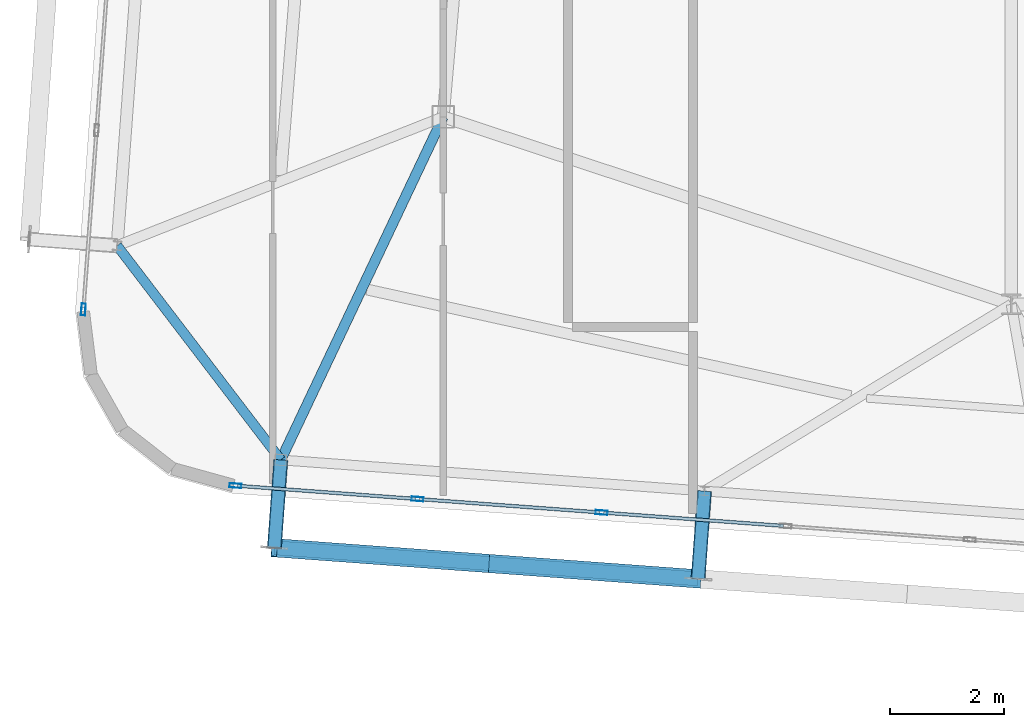
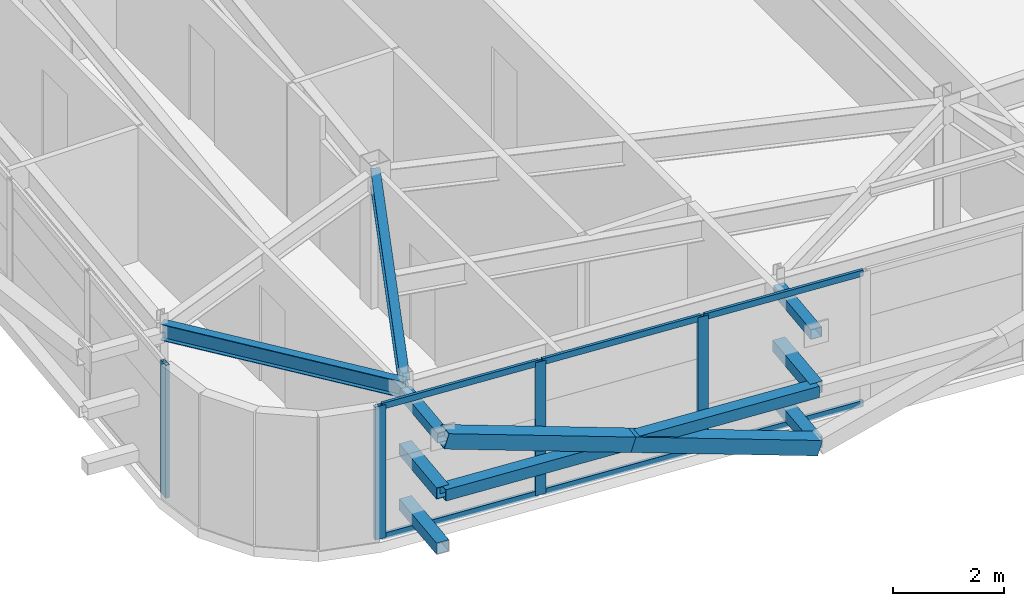
# One storey, part 9 of 42: 19 members, 2 beams, 2 elements without a shape of their own.
"""IFC4 building model written with IfcOpenShell, lengths in metres."""

from ifc_helpers import new_model, si_unit, direction, frame, origin, origin_2d, place, context, subcontext, project, spatial, hollow_rectangle, i_section, extrude, source, transform, mapped, material, layer, layer_set, material_profile, profile_set, type_object, element, aggregate, save


model = new_model("IFC4")

# Units and contexts
model_context = context("Model", 3, precision=1e-05, world=origin(), true_north=direction((0.0, 1.0)))
body_context = subcontext(model_context, "Body", "Model", "MODEL_VIEW")
ifc_project = project(units=[si_unit("LENGTHUNIT", "METRE"), si_unit("AREAUNIT", "SQUARE_METRE"), si_unit("VOLUMEUNIT", "CUBIC_METRE"), si_unit("PLANEANGLEUNIT", "RADIAN"), si_unit("MASSUNIT", "GRAM", prefix="KILO")], contexts=[model_context])

# Site, building, storey
site_placement = place(None, origin())
site = spatial("IfcSite", under=ifc_project, at=site_placement, CompositionType="ELEMENT")
building_placement = place(site_placement, origin())
building = spatial("IfcBuilding", under=site, at=building_placement, Name="Taldren Reach Tower", CompositionType="ELEMENT")
storey_placement = place(building_placement, frame((0.0, 0.0, 220.85009765625)))
storey = spatial("IfcBuildingStorey", under=building, at=storey_placement, Name="L67", CompositionType="ELEMENT", Elevation=220.85009765625)

# Members
ifc_material_1 = material(Name="Steel Gr 350 (C350L0)", Category="steel")
ifc_material_profile_1 = material_profile(ifc_material_1, hollow_rectangle(XDim=0.25, YDim=0.25, WallThickness=0.010009765625, at=origin_2d()), Name="250x250x10.0SHS")
ifc_profile_set_1 = profile_set([ifc_material_profile_1], Name="Steel Gr 350 (C350L0)")
member_type_1 = type_object("IfcMemberType", Name="MB-POST250", PredefinedType="POST", material=ifc_profile_set_1)
shared_shape_1 = source(origin(), body_context, "Body", "SweptSolid", [
    extrude(hollow_rectangle(XDim=0.25, YDim=0.25, WallThickness=0.010009765625, at=origin_2d()), origin(), (0.0, 0.0, 1.0), 1.5498046875),
])
for number, where, z_axis, x_axis, name in (
    (1, (22.6005859375, 5.912353515625, 0.219970703125), (-0.073250797913, -0.997313551801, 0.0), (0.997313551801, -0.073250797913, 0.0), "Exoskeleton base diaphragm tie strut B5-S2 L67"),
    (2, (22.6005859375, 5.912353515625, 1.434814453125), (-0.073250797913, -0.997313551801, 0.0), (0.997313551801, -0.073250797913, 0.0), "Exoskeleton mid-tier diaphragm tie B5-S2 L67"),
):
    element("IfcMember", number, at=place(storey_placement, frame(where, z_axis=z_axis, x_axis=x_axis)), inside=storey, type_object=member_type_1, Name=name, PredefinedType="POST", context=body_context, shape_type="MappedRepresentation", body=[
        mapped(shared_shape_1, transform((0.0, 0.0, 0.0), scale=1.0)),
    ])
shared_shape_2 = source(origin(), body_context, "Body", "SweptSolid", [
    extrude(hollow_rectangle(XDim=0.25, YDim=0.25, WallThickness=0.010009765625, at=origin_2d()), origin(), (0.0, 0.0, 1.0), 1.550048828125),
])
for number, where, z_axis, x_axis, name in (
    (3, (15.140625, 6.460205078125, 0.219970703125), (-0.07323929162, -0.997314396849, 0.0), (0.997314396849, -0.07323929162, 0.0), "Exoskeleton base diaphragm tie strut B5-S1 L67"),
    (4, (15.140625, 6.460205078125, 1.434814453125), (-0.07323929162, -0.997314396849, 0.0), (0.997314396849, -0.07323929162, 0.0), "Exoskeleton mid-tier diaphragm tie B5-S1 L67"),
):
    element("IfcMember", number, at=place(storey_placement, frame(where, z_axis=z_axis, x_axis=x_axis)), inside=storey, type_object=member_type_1, Name=name, PredefinedType="POST", context=body_context, shape_type="MappedRepresentation", body=[
        mapped(shared_shape_2, transform((0.0, 0.0, 0.0), scale=1.0)),
    ])
ifc_material_2 = material(Name="Steel Gr 450 (C450L0)", Category="steel")
ifc_material_profile_2 = material_profile(ifc_material_2, hollow_rectangle(XDim=0.219970703125, YDim=0.219970703125, WallThickness=0.00830078125, at=origin_2d()), Name="220x220x8.2SHS")
ifc_profile_set_2 = profile_set([ifc_material_profile_2], Name="Steel Gr 450 (C450L0)")
member_type_2 = type_object("IfcMemberType", Name="MB-TIE219", PredefinedType="STRUT", material=ifc_profile_set_2)
shared_shape_3 = source(origin(), body_context, "Body", "SweptSolid", [
    extrude(hollow_rectangle(XDim=0.219970703125, YDim=0.219970703125, WallThickness=0.00830078125, at=origin_2d()), origin(), (0.0, 0.0, 1.0), 1.5498046875),
])
member_1_placement = place(storey_placement, frame((22.6005859375, 5.912353515625, 2.64990234375), z_axis=(-0.073250797913, -0.997313551801, 0.0), x_axis=(0.997313551801, -0.073250797913, 0.0)))
element("IfcMember", 5, at=member_1_placement, inside=storey, type_object=member_type_2, Name="Exoskeleton diaphragm tie strut B5-S2 L67", PredefinedType="STRUT", context=body_context, shape_type="MappedRepresentation", body=[
    mapped(shared_shape_3, transform((0.0, 0.0, 0.0), scale=1.0)),
])
shared_shape_4 = source(origin(), body_context, "Body", "SweptSolid", [
    extrude(hollow_rectangle(XDim=0.219970703125, YDim=0.219970703125, WallThickness=0.00830078125, at=origin_2d()), origin(), (0.0, 0.0, 1.0), 1.550048828125),
])
member_2_placement = place(storey_placement, frame((15.140625, 6.460205078125, 2.64990234375), z_axis=(-0.07323929162, -0.997314396849, 0.0), x_axis=(0.997314396849, -0.07323929162, 0.0)))
element("IfcMember", 6, at=member_2_placement, inside=storey, type_object=member_type_2, Name="Exoskeleton diaphragm tie strut B5-S1 L67", PredefinedType="STRUT", context=body_context, shape_type="MappedRepresentation", body=[
    mapped(shared_shape_4, transform((0.0, 0.0, 0.0), scale=1.0)),
])

# Beams
ifc_material_3 = material(Name="Steel Gr 350 (350PLUS)", Category="steel")
ifc_material_profile_3 = material_profile(ifc_material_3, i_section(OverallWidth=0.172119140625, OverallDepth=0.35888671875, WebThickness=0.008056640625, FlangeThickness=0.012939453125, at=origin_2d()), Name="360UB56.7")
ifc_profile_set_3 = profile_set([ifc_material_profile_3], Name="Steel Gr 350 (350PLUS)")
beam_type_1 = type_object("IfcBeamType", Name="SP-UB360", PredefinedType="SPANDREL", material=ifc_profile_set_3)
shared_shape_5 = source(origin(), body_context, "Body", "SweptSolid", [
    extrude(i_section(OverallWidth=0.172119140625, OverallDepth=0.35888671875, WebThickness=0.008056640625, FlangeThickness=0.012939453125, at=origin_2d()), origin(), (0.0, 0.0, 1.0), 4.74609375),
])
beam_1_placement = place(storey_placement, frame((12.259033203125, 10.2314453125, 2.75048828125), z_axis=(0.607144568334, -0.794591387533, 0.0), x_axis=(0.794591387533, 0.607144568334, 0.0)))
element("IfcBeam", 7, at=beam_1_placement, inside=storey, type_object=beam_type_1, Name="Perimeter spandrel B5 W1-S1 L67", PredefinedType="SPANDREL", context=body_context, shape_type="MappedRepresentation", body=[
    mapped(shared_shape_5, transform((0.0, 0.0, 0.0), scale=1.0)),
])
ifc_material_profile_4 = material_profile(ifc_material_3, i_section(OverallWidth=0.177978515625, OverallDepth=0.406005859375, WebThickness=0.0078125, FlangeThickness=0.0126953125, at=origin_2d()), Name="410UB59.7")
ifc_profile_set_4 = profile_set([ifc_material_profile_4], Name="Steel Gr 350 (350PLUS)")
beam_type_2 = type_object("IfcBeamType", Name="BM-UB410", PredefinedType="BEAM", material=ifc_profile_set_4)
shared_shape_6 = source(origin(), body_context, "Body", "SweptSolid", [
    extrude(i_section(OverallWidth=0.177978515625, OverallDepth=0.406005859375, WebThickness=0.0078125, FlangeThickness=0.0126953125, at=origin_2d()), origin(), (0.0, 0.0, 1.0), 6.682373046875),
])
beam_2_placement = place(storey_placement, frame((18.0, 12.5, 2.726806640625), z_axis=(-0.427893164494, -0.903829320049, 0.0), x_axis=(0.903829320049, -0.427893164494, 0.0)))
element("IfcBeam", 8, at=beam_2_placement, inside=storey, type_object=beam_type_2, Name="Primary floor girder B5-S1 L67", PredefinedType="BEAM", context=body_context, shape_type="MappedRepresentation", body=[
    mapped(shared_shape_6, transform((0.0, 0.0, 0.0), scale=1.0)),
])

# Members
ifc_material_profile_5 = material_profile(ifc_material_2, hollow_rectangle(XDim=0.324951171875, YDim=0.324951171875, WallThickness=0.0126953125, at=origin_2d()), Name="325x325x12.7SHS")
ifc_profile_set_5 = profile_set([ifc_material_profile_5], Name="Steel Gr 450 (C450L0)")
member_type_3 = type_object("IfcMemberType", Name="MB-BR324", PredefinedType="BRACE", material=ifc_profile_set_5)
shared_shape_7 = source(origin(), body_context, "Body", "SweptSolid", [
    extrude(hollow_rectangle(XDim=0.324951171875, YDim=0.324951171875, WallThickness=0.0126953125, at=origin_2d()), origin(), (0.0, 0.0, 1.0), 3.932373046875),
])
for number, where, z_axis, x_axis, name in (
    (9, (22.487060546875, 4.36669921875, 0.219970703125), (-0.948533427308, 0.069597196754, 0.308934568287), (-0.073176762938, -0.997318986767, 0.0), "Exoskeleton Diagrid Brace B5-S1 L67"),
    (10, (18.757080078125, 4.640380859375, 1.434814453125), (-0.948511132845, 0.069657644394, 0.308989390507), (-0.07324169103, -0.997314220642, 0.0), "Exoskeleton Diagrid Brace B5-S1 L67"),
):
    element("IfcMember", number, at=place(storey_placement, frame(where, z_axis=z_axis, x_axis=x_axis)), inside=storey, type_object=member_type_3, Name=name, PredefinedType="BRACE", context=body_context, shape_type="MappedRepresentation", body=[
        mapped(shared_shape_7, transform((0.0, 0.0, 0.0), scale=1.0)),
    ])
shared_shape_8 = source(origin(), body_context, "Body", "SweptSolid", [
    extrude(hollow_rectangle(XDim=0.25, YDim=0.25, WallThickness=0.010009765625, at=origin_2d()), origin(), (0.0, 0.0, 1.0), 7.47998046875),
])
member_3_placement = place(storey_placement, frame((15.027099609375, 4.914306640625, 1.434814453125), z_axis=(0.997316604227, -0.0732092271, 0.0), x_axis=(0.0732092271, 0.997316604227, 0.0)))
element("IfcMember", 11, at=member_3_placement, inside=storey, type_object=member_type_1, Name="Exoskeleton mid-height ring chord B5-S1 L67", PredefinedType="POST", context=body_context, shape_type="MappedRepresentation", body=[
    mapped(shared_shape_8, transform((0.0, 0.0, 0.0), scale=1.0)),
])

# Curtain wall, members
ifc_material_4 = material(Name="Aluminium and Low-E Glass Unitised System", Category="aluminium")
ifc_layer = layer(ifc_material_4, 0.159912109375)
ifc_layer_set = layer_set([ifc_layer], Name="Aluminium and Low-E Glass Unitised System")
curtain_wall_type = type_object("IfcCurtainWallType", Name="CW-SYS-6", PredefinedType="NOTDEFINED", material=ifc_layer_set)
curtain_wall_1_placement = place(storey_placement, origin())
curtain_wall_1 = element("IfcCurtainWall", 12, at=curtain_wall_1_placement, inside=storey, type_object=curtain_wall_type, Name="Unitised curtain wall CW-L67-S", PredefinedType="NOTDEFINED")
ifc_material_5 = material(Name="Anodised Aluminium 6063-T6", Category="aluminium")
ifc_material_profile_6 = material_profile(ifc_material_5, hollow_rectangle(XDim=0.074951171875, YDim=0.2099609375, WallThickness=0.00439453125, at=origin_2d()), Name="ALU-210x75x4.5RHS")
ifc_profile_set_6 = profile_set([ifc_material_profile_6], Name="Anodised Aluminium 6063-T6")
member_type_4 = type_object("IfcMemberType", Name="CW-MUL-200", PredefinedType="MULLION", material=ifc_profile_set_6)
shared_shape_9 = source(origin(), body_context, "Body", "SweptSolid", [
    extrude(hollow_rectangle(XDim=0.074951171875, YDim=0.2099609375, WallThickness=0.00439453125, at=origin_2d()), origin(), (0.0, 0.0, 1.0), 2.929931640625),
])
member_4_placement = place(storey_placement, frame((14.3427734375, 6.007568359375, 0.0), z_axis=(0.0, 0.0, 1.0), x_axis=(0.073238213716, 0.997314476006, 0.0)))
member_4 = element("IfcMember", 13, at=member_4_placement, type_object=member_type_4, Name="CW-6 mullion 1", PredefinedType="MULLION", context=body_context, shape_type="MappedRepresentation", body=[
    mapped(shared_shape_9, transform((0.0, 0.0, 0.0), scale=1.0)),
])
member_5_placement = place(storey_placement, frame((17.546630859375, 5.772216796875, 0.0), z_axis=(0.0, 0.0, 1.0), x_axis=(0.073238213716, 0.997314476006, 0.0)))
member_5 = element("IfcMember", 14, at=member_5_placement, type_object=member_type_4, Name="CW-6 mullion 2", PredefinedType="MULLION", context=body_context, shape_type="MappedRepresentation", body=[
    mapped(shared_shape_9, transform((0.0, 0.0, 0.0), scale=1.0)),
])
member_6_placement = place(storey_placement, frame((20.7880859375, 5.5341796875, 0.0), z_axis=(0.0, 0.0, 1.0), x_axis=(0.073238213716, 0.997314476006, 0.0)))
member_6 = element("IfcMember", 15, at=member_6_placement, type_object=member_type_4, Name="CW-6 mullion 3", PredefinedType="MULLION", context=body_context, shape_type="MappedRepresentation", body=[
    mapped(shared_shape_9, transform((0.0, 0.0, 0.0), scale=1.0)),
])

# Curtain wall, member
curtain_wall_2_placement = place(storey_placement, origin())
curtain_wall_2 = element("IfcCurtainWall", 16, at=curtain_wall_2_placement, inside=storey, type_object=curtain_wall_type, Name="Unitised curtain wall CW-L67-W", PredefinedType="NOTDEFINED")
member_7_placement = place(storey_placement, frame((11.665283203125, 9.109375, 0.0), z_axis=(0.0, 0.0, 1.0), x_axis=(0.997314470951, -0.073238282558, 0.0)))
member_7 = element("IfcMember", 17, at=member_7_placement, type_object=member_type_4, Name="CW-6 mullion 9", PredefinedType="MULLION", context=body_context, shape_type="MappedRepresentation", body=[
    mapped(shared_shape_9, transform((0.0, 0.0, 0.0), scale=1.0)),
])
aggregate(curtain_wall_2, [member_7])

# Member
ifc_material_profile_7 = material_profile(ifc_material_5, hollow_rectangle(XDim=0.06005859375, YDim=0.135009765625, WallThickness=0.00341796875, at=origin_2d()), Name="ALU-135x60x3.5RHS")
ifc_profile_set_7 = profile_set([ifc_material_profile_7], Name="Anodised Aluminium 6063-T6")
member_type_5 = type_object("IfcMemberType", Name="CW-TRN-150", PredefinedType="USERDEFINED", material=ifc_profile_set_7)
shared_shape_10 = source(origin(), body_context, "Body", "SweptSolid", [
    extrude(hollow_rectangle(XDim=0.06005859375, YDim=0.135009765625, WallThickness=0.00341796875, at=origin_2d()), origin(), (0.0, 0.0, 1.0), 3.13720703125),
])
member_8_placement = place(storey_placement, frame((14.38037109375, 6.004638671875, 0.02978515625), z_axis=(0.997315319572, -0.073226725633, 0.0), x_axis=(0.073226725633, 0.997315319572, 0.0)))
member_8 = element("IfcMember", 18, at=member_8_placement, type_object=member_type_5, Name="CW-6 transom 1.1", ObjectType="TRANSOM", PredefinedType="USERDEFINED", context=body_context, shape_type="MappedRepresentation", body=[
    mapped(shared_shape_10, transform((0.0, 0.0, 0.0), scale=1.0)),
])

member_9_placement = place(storey_placement, frame((14.38037109375, 6.004638671875, 2.89990234375), z_axis=(0.997315319572, -0.073226725633, 0.0), x_axis=(0.073226725633, 0.997315319572, 0.0)))
member_9 = element("IfcMember", 19, at=member_9_placement, type_object=member_type_5, Name="CW-6 transom 1.2", ObjectType="TRANSOM", PredefinedType="USERDEFINED", context=body_context, shape_type="MappedRepresentation", body=[
    mapped(shared_shape_10, transform((0.0, 0.0, 0.0), scale=1.0)),
])

shared_shape_11 = source(origin(), body_context, "Body", "SweptSolid", [
    extrude(hollow_rectangle(XDim=0.06005859375, YDim=0.135009765625, WallThickness=0.00341796875, at=origin_2d()), origin(), (0.0, 0.0, 1.0), 3.1748046875),
])
member_10_placement = place(storey_placement, frame((17.584228515625, 5.76953125, 0.02978515625), z_axis=(0.997311015151, -0.07328532635, 0.0), x_axis=(0.07328532635, 0.997311015151, 0.0)))
member_10 = element("IfcMember", 20, at=member_10_placement, type_object=member_type_5, Name="CW-6 transom 2.1", ObjectType="TRANSOM", PredefinedType="USERDEFINED", context=body_context, shape_type="MappedRepresentation", body=[
    mapped(shared_shape_11, transform((0.0, 0.0, 0.0), scale=1.0)),
])

member_11_placement = place(storey_placement, frame((17.584228515625, 5.76953125, 2.89990234375), z_axis=(0.997311015151, -0.07328532635, 0.0), x_axis=(0.07328532635, 0.997311015151, 0.0)))
member_11 = element("IfcMember", 21, at=member_11_placement, type_object=member_type_5, Name="CW-6 transom 2.2", ObjectType="TRANSOM", PredefinedType="USERDEFINED", context=body_context, shape_type="MappedRepresentation", body=[
    mapped(shared_shape_11, transform((0.0, 0.0, 0.0), scale=1.0)),
])

shared_shape_12 = source(origin(), body_context, "Body", "SweptSolid", [
    extrude(hollow_rectangle(XDim=0.06005859375, YDim=0.135009765625, WallThickness=0.00341796875, at=origin_2d()), origin(), (0.0, 0.0, 1.0), 3.175048828125),
])
member_12_placement = place(storey_placement, frame((20.825439453125, 5.531494140625, 0.02978515625), z_axis=(0.997311428111, -0.073279706322, 0.0), x_axis=(0.073279706322, 0.997311428111, 0.0)))
member_12 = element("IfcMember", 22, at=member_12_placement, type_object=member_type_5, Name="CW-6 transom 3.1", ObjectType="TRANSOM", PredefinedType="USERDEFINED", context=body_context, shape_type="MappedRepresentation", body=[
    mapped(shared_shape_12, transform((0.0, 0.0, 0.0), scale=1.0)),
])

member_13_placement = place(storey_placement, frame((20.825439453125, 5.531494140625, 2.89990234375), z_axis=(0.997311428111, -0.073279706322, 0.0), x_axis=(0.073279706322, 0.997311428111, 0.0)))
member_13 = element("IfcMember", 23, at=member_13_placement, type_object=member_type_5, Name="CW-6 transom 3.2", ObjectType="TRANSOM", PredefinedType="USERDEFINED", context=body_context, shape_type="MappedRepresentation", body=[
    mapped(shared_shape_12, transform((0.0, 0.0, 0.0), scale=1.0)),
])

aggregate(curtain_wall_1, [member_4, member_5, member_6, member_8, member_9, member_10, member_11, member_12, member_13])

save(model, "model.ifc")
